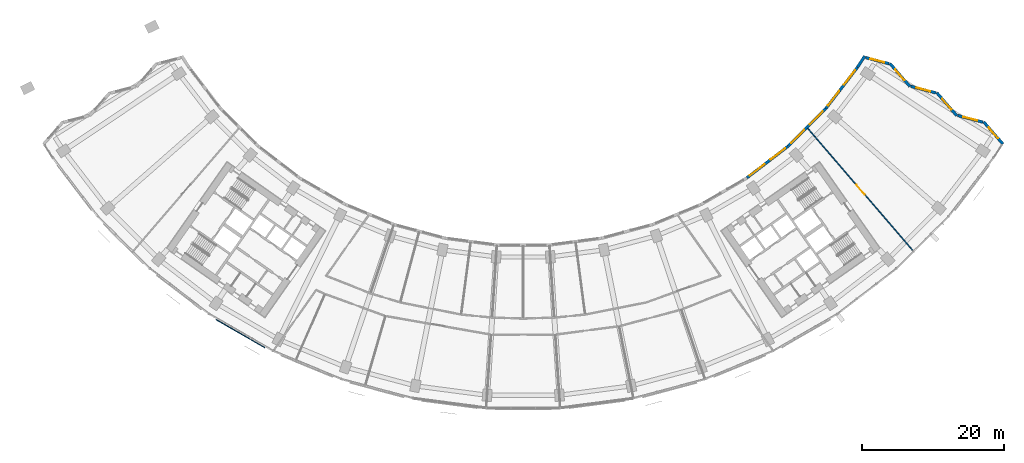
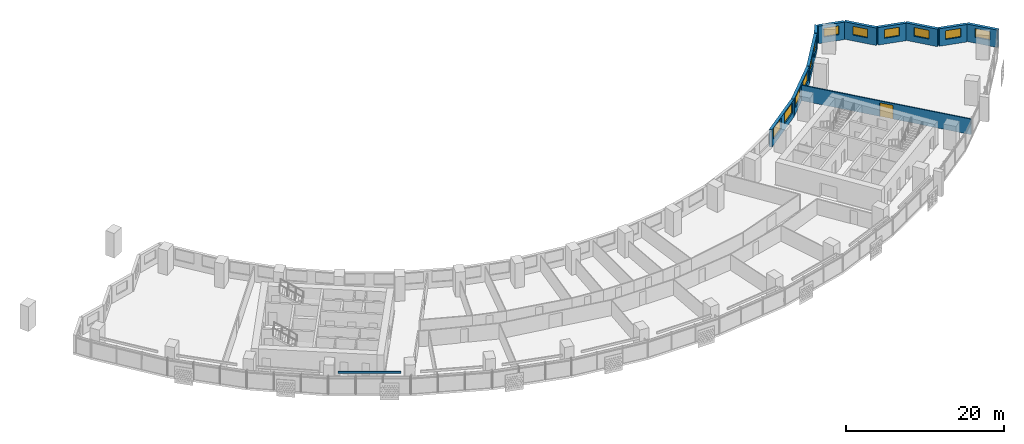
# One storey, part 8 of 31: 12 windows, 11 walls, 1 discrete accessory, 1 door, 13 openings.
"""IFC4 building model written with IfcOpenShell, lengths in metres."""

import ifcopenshell
import ifcopenshell.guid

model = None  # the IFC model being written
_history = None  # IfcOwnerHistory: only IFC2X3 demands one
_inside = {}  # id of a spatial element -> (the spatial element, [elements in it])
_under = {}  # id of a project, library or spatial element -> (it, [spatial elements below it])
_declared = {}  # id of a project -> (the project, [libraries it declares])
_typed = {}  # id of a type object -> (the type object, [elements of that type])
_made_of = {}  # id of a material, layer set ... -> (it, [elements and type objects made of it])


def new_model(schema):
    """Start an empty IFC model of exactly this schema.

    Asked for "IFC4X3", IfcOpenShell would pick the latest addendum, in which some entities
    have other attributes; the version numbers below select the first issue.
    IFC2X3 requires an IfcOwnerHistory on every rooted entity: one is made here for all.
    """
    global model, _history
    if schema == "IFC4X3":
        model = ifcopenshell.file(schema_version=(4, 3, 0, 0))
    else:
        model = ifcopenshell.file(schema=schema)
    _inside.clear()
    _under.clear()
    _declared.clear()
    _typed.clear()
    _made_of.clear()
    _history = None
    if model.schema == "IFC2X3":
        org = make("IfcOrganization", Name="unknown")
        user = make(
            "IfcPersonAndOrganization",
            ThePerson=make("IfcPerson", FamilyName="unknown"),
            TheOrganization=org,
        )
        app = make(
            "IfcApplication",
            ApplicationDeveloper=org,
            Version="unknown",
            ApplicationFullName="unknown",
            ApplicationIdentifier="unknown",
        )
        _history = make(
            "IfcOwnerHistory",
            OwningUser=user,
            OwningApplication=app,
            ChangeAction="ADDED",
            CreationDate=0,
        )
    return model


def make(cls, **values):
    """One entity of the class cls with the attributes given. An attribute that is None is left unset."""
    return model.create_entity(
        cls, **{name: value for name, value in values.items() if value is not None}
    )


def rooted(cls, **values):
    """An entity with a GlobalId (a new one), such as an element, a storey or a relation."""
    return make(cls, GlobalId=ifcopenshell.guid.new(), OwnerHistory=_history, **values)


def si_unit(unit_type, name, prefix=None):
    """IfcSIUnit, for example si_unit("LENGTHUNIT", "METRE", prefix="MILLI")."""
    return make("IfcSIUnit", UnitType=unit_type, Prefix=prefix, Name=name)


def assignment(units):
    """IfcUnitAssignment: the units of a project."""
    return None if units is None else make("IfcUnitAssignment", Units=units)


def point(xyz):
    """IfcCartesianPoint."""
    return None if xyz is None else make("IfcCartesianPoint", Coordinates=xyz)


def direction(xyz):
    """IfcDirection."""
    return None if xyz is None else make("IfcDirection", DirectionRatios=xyz)


def frame(location, z_axis=None, x_axis=None):
    """IfcAxis2Placement3D, a coordinate frame: its origin and axes. An axis left out is left unset."""
    return make(
        "IfcAxis2Placement3D",
        Location=point(location),
        Axis=direction(z_axis),
        RefDirection=direction(x_axis),
    )


def frame_2d(location, x_axis=None):
    """IfcAxis2Placement2D, a coordinate frame in the plane: its origin and x axis."""
    return make(
        "IfcAxis2Placement2D", Location=point(location), RefDirection=direction(x_axis)
    )


def origin():
    """The frame at (0, 0, 0) with its axes left unset."""
    return frame((0.0, 0.0, 0.0))


def origin_2d():
    """The frame at (0, 0) in the plane with its x axis left unset."""
    return frame_2d((0.0, 0.0))


def place(relative_to, where):
    """IfcLocalPlacement: puts the frame where relative to a parent placement (None: the world)."""
    return make(
        "IfcLocalPlacement", PlacementRelTo=relative_to, RelativePlacement=where
    )


def context(
    kind, dimensions, precision=None, world=None, true_north=None, identifier=None
):
    """IfcGeometricRepresentationContext, for example the 3D "Model" context."""
    return make(
        "IfcGeometricRepresentationContext",
        ContextIdentifier=identifier,
        ContextType=kind,
        CoordinateSpaceDimension=dimensions,
        Precision=precision,
        WorldCoordinateSystem=world,
        TrueNorth=true_north,
    )


def subcontext(parent, identifier, kind, view, scale=None):
    """IfcGeometricRepresentationSubContext, for example "Body" below "Model"."""
    return make(
        "IfcGeometricRepresentationSubContext",
        ContextIdentifier=identifier,
        ContextType=kind,
        ParentContext=parent,
        TargetScale=scale,
        TargetView=view,
    )


def project(units=None, contexts=None):
    """IfcProject with its units and contexts."""
    return rooted(
        "IfcProject",
        Name="project",
        RepresentationContexts=contexts,
        UnitsInContext=assignment(units),
    )


def spatial(cls, under=None, at=None, **own):
    """A site, building, storey or space (cls), placed at a placement, below another one or the project."""
    s = rooted(cls, ObjectPlacement=at, **own)
    if under is not None:
        _under.setdefault(under.id(), (under, []))[1].append(s)
    return s


def profile(cls, at=None, kind="AREA", **sizes):
    """A parametric profile (cls). Its sizes go by their IFC names, for example OverallWidth=200.0."""
    return make(cls, ProfileType=kind, Position=at, **sizes)


def rectangle(**sizes):
    """IfcRectangleProfileDef."""
    return profile("IfcRectangleProfileDef", **sizes)


def extrude(swept, where, along, depth):
    """IfcExtrudedAreaSolid: the profile swept, set in the frame where, extruded along a direction by depth."""
    return make(
        "IfcExtrudedAreaSolid",
        SweptArea=swept,
        Position=where,
        ExtrudedDirection=direction(along),
        Depth=depth,
    )


def shape(context_of_items, identifier, shape_type, items):
    """IfcShapeRepresentation: the items that make up one representation, for example the "Body"."""
    return make(
        "IfcShapeRepresentation",
        ContextOfItems=context_of_items,
        RepresentationIdentifier=identifier,
        RepresentationType=shape_type,
        Items=items,
    )


def material(Name=None, Category=None):
    """IfcMaterial."""
    return make("IfcMaterial", Name=Name, Category=Category)


def layer(
    of_material, thickness, ventilated=None, Name=None, Category=None, Priority=None
):
    """IfcMaterialLayer: one layer of a wall or slab, of a material (None: an air gap)."""
    return make(
        "IfcMaterialLayer",
        Material=of_material,
        LayerThickness=thickness,
        IsVentilated=ventilated,
        Name=Name,
        Category=Category,
        Priority=Priority,
    )


def layer_set(layers, Name=None):
    """IfcMaterialLayerSet."""
    return make("IfcMaterialLayerSet", MaterialLayers=layers, LayerSetName=Name)


def made_of(thing, what):
    """Note that an element or type object is made of a material, layer set ...; save() writes the relation."""
    if what is not None:
        _made_of.setdefault(what.id(), (what, []))[1].append(thing)
    return thing


def type_object(cls, material=None, **own):
    """A type object (cls), such as IfcWallType, which elements share."""
    return made_of(rooted(cls, **own), material)


def element(
    cls,
    number,
    at=None,
    inside=None,
    cuts=None,
    type_object=None,
    material=None,
    context=None,
    identifier="Body",
    shape_type=None,
    held_by="IfcProductDefinitionShape",
    body=None,
    shapes=None,
    **own,
):
    """One element of the class cls, such as IfcWall. Its Tag is "e" and its number.

    at: its placement. inside: the storey or other place that contains it. cuts: it is an
    opening in that element (IfcRelVoidsElement). A single representation is given by context,
    identifier, shape_type and body (its items); several are given by shapes. held_by: the class
    of the entity that holds the representations. save() writes the other relations.
    """
    e = rooted(cls, Tag="e%d" % number, ObjectPlacement=at, **own)
    if body is not None:
        shapes = [shape(context, identifier, shape_type, body)]
    if shapes is not None:
        e.Representation = make(held_by, Representations=shapes)
    if inside is not None:
        _inside.setdefault(inside.id(), (inside, []))[1].append(e)
    if cuts is not None:
        rooted(
            "IfcRelVoidsElement", RelatingBuildingElement=cuts, RelatedOpeningElement=e
        )
    if type_object is not None:
        _typed.setdefault(type_object.id(), (type_object, []))[1].append(e)
    return made_of(e, material)


def fill(opening, filler):
    """IfcRelFillsElement: the door or window that sits in an opening."""
    return rooted(
        "IfcRelFillsElement",
        RelatingOpeningElement=opening,
        RelatedBuildingElement=filler,
    )


def aggregate(whole, parts):
    """IfcRelAggregates: a whole, such as a stair, and the parts it consists of."""
    return rooted("IfcRelAggregates", RelatingObject=whole, RelatedObjects=parts)


def save(model, path):
    """Write the relations noted so far, then the file.

    IfcRelAggregates (storeys below a building ...), IfcRelContainedInSpatialStructure (elements
    in a storey), IfcRelDefinesByType, IfcRelAssociatesMaterial and IfcRelDeclares: one each for
    every whole, place, type object, material and project.
    """
    for whole, parts in _under.values():
        aggregate(whole, parts)
    for where, things in _inside.values():
        rooted(
            "IfcRelContainedInSpatialStructure",
            RelatedElements=things,
            RelatingStructure=where,
        )
    for kind, things in _typed.values():
        rooted("IfcRelDefinesByType", RelatedObjects=things, RelatingType=kind)
    for what, things in _made_of.values():
        rooted("IfcRelAssociatesMaterial", RelatedObjects=things, RelatingMaterial=what)
    for by, libraries in _declared.values():
        rooted("IfcRelDeclares", RelatingContext=by, RelatedDefinitions=libraries)
    model.write(path)


model = new_model("IFC4")

# Units and contexts
model_context = context("Model", 3, precision=1e-05, world=origin(), true_north=direction((0.0, 1.0)))
body_context = subcontext(model_context, "Body", "Model", "MODEL_VIEW")
ifc_project = project(units=[si_unit("LENGTHUNIT", "METRE"), si_unit("AREAUNIT", "SQUARE_METRE"), si_unit("VOLUMEUNIT", "CUBIC_METRE"), si_unit("PLANEANGLEUNIT", "RADIAN"), si_unit("MASSUNIT", "GRAM", prefix="KILO")], contexts=[model_context])

# Site, building, storey
site_placement = place(None, origin())
site = spatial("IfcSite", under=ifc_project, at=site_placement, CompositionType="ELEMENT")
building_placement = place(site_placement, origin())
building = spatial("IfcBuilding", under=site, at=building_placement, Name="Qamariyya Broadcast Tower", CompositionType="ELEMENT")
storey_placement = place(building_placement, frame((0.0, 0.0, 59.5)))
storey = spatial("IfcBuildingStorey", under=building, at=storey_placement, Name="L11", CompositionType="ELEMENT", Elevation=59.5)

# Wall, opening, door
ifc_material_1 = material(Name="Gypsum board partition")
ifc_layer_1 = layer(ifc_material_1, 0.14990234375)
ifc_layer_set_1 = layer_set([ifc_layer_1], Name="Corridor partition 150 EI 60")
wall_type_1 = type_object("IfcWallType", Name="Corridor partition 150 EI 60", PredefinedType="PARTITIONING", material=ifc_layer_set_1)
wall_1_placement = place(storey_placement, frame((40.021240234375, -40.063232421875, 0.0), z_axis=(0.0, 0.0, 1.0), x_axis=(0.652471531746, -0.757813235739, 0.0)))
wall_1 = element("IfcWall", 1, at=wall_1_placement, inside=storey, type_object=wall_type_1, Name="Partition L11-035", PredefinedType="PARTITIONING", context=body_context, shape_type="SweptSolid", body=[
    extrude(rectangle(XDim=22.71484375, YDim=0.14990234375, at=frame_2d((11.357421875, 0.0))), origin(), (0.0, 0.0, 1.0), 2.39990234375),
])
opening_1_placement = place(wall_1_placement, frame((10.45751953125, 0.0, 0.0)))
opening_1 = element("IfcOpeningElement", 2, at=opening_1_placement, cuts=wall_1, Name="Opening L11-D17", PredefinedType="OPENING", context=body_context, shape_type="SweptSolid", body=[
    extrude(rectangle(XDim=1.800048828125, YDim=2.10009765625, at=frame_2d((0.89990234375, 1.050048828125))), frame((0.0, 0.0849609375, 0.0), z_axis=(0.0, -1.0, 0.0), x_axis=(1.0, 0.0, 0.0)), (0.0, 0.0, 1.0), 0.169921875),
])
ifc_material_2 = material(Name="Timber fire door leaf", Category="wood")
door_type = type_object("IfcDoorType", Name="Double fire door 1800 x 2100 FD60", OperationType="NOTDEFINED", PredefinedType="DOOR", material=ifc_material_2)
door_placement = place(opening_1_placement, origin())
door = element("IfcDoor", 3, at=door_placement, inside=storey, type_object=door_type, Name="Door L11-D17", OperationType="DOUBLE_DOOR_SINGLE_SWING", OverallHeight=2.10009765625, OverallWidth=1.800048828125, PredefinedType="DOOR", context=body_context, shape_type="SweptSolid", body=[
    extrude(rectangle(XDim=1.800048828125, YDim=2.10009765625, at=frame_2d((0.89990234375, 1.050048828125))), frame((0.0, 0.02490234375, 0.0), z_axis=(0.0, -1.0, 0.0), x_axis=(1.0, 0.0, 0.0)), (0.0, 0.0, 1.0), 0.050048828125),
])
fill(opening_1, door)

# Wall, opening, window
ifc_material_3 = material(Name="Terracotta", Category="masonry")
ifc_layer_2 = layer(ifc_material_3, 0.39990234375)
ifc_layer_set_2 = layer_set([ifc_layer_2], Name="Terracotta clad wall 400")
wall_type_2 = type_object("IfcWallType", Name="Terracotta clad wall 400", PredefinedType="SOLIDWALL", material=ifc_layer_set_2)
wall_2_placement = place(storey_placement, frame((67.456298828125, -42.242431640625, 0.0), z_axis=(0.0, 0.0, 1.0), x_axis=(-0.655408477407, 0.755274604195, 0.0)))
wall_2 = element("IfcWall", 4, at=wall_2_placement, inside=storey, type_object=wall_type_2, Name="e-wl-L11-capE0", PredefinedType="SOLIDWALL", context=body_context, shape_type="SweptSolid", body=[
    extrude(rectangle(XDim=4.121826171875, YDim=0.39990234375, at=frame_2d((2.06103515625, 0.0))), origin(), (0.0, 0.0, 1.0), 2.699951171875),
])
opening_2_placement = place(wall_2_placement, frame((1.060791015625, 0.0, 0.89990234375)))
opening_2 = element("IfcOpeningElement", 5, at=opening_2_placement, cuts=wall_2, Name="Opening W4", PredefinedType="OPENING", context=body_context, shape_type="SweptSolid", body=[
    extrude(rectangle(XDim=2.0, YDim=1.35009765625, at=frame_2d((1.0, 0.675048828125))), frame((0.0, 0.2099609375, 0.0), z_axis=(0.0, -1.0, 0.0), x_axis=(1.0, 0.0, 0.0)), (0.0, 0.0, 1.0), 0.419921875),
])
ifc_material_4 = material(Name="Clear low-e double glazed unit in aluminium frame", Category="aluminium")
window_type_1 = type_object("IfcWindowType", Name="Horn bay window 2000 x 1350", PartitioningType="SINGLE_PANEL", PredefinedType="WINDOW", material=ifc_material_4)
window_1_placement = place(opening_2_placement, origin())
window_1 = element("IfcWindow", 6, at=window_1_placement, inside=storey, type_object=window_type_1, Name="e-w-L11-capE0", OverallHeight=1.35009765625, OverallWidth=2.0, PartitioningType="SINGLE_PANEL", PredefinedType="WINDOW", context=body_context, shape_type="SweptSolid", body=[
    extrude(rectangle(XDim=2.0, YDim=1.35009765625, at=frame_2d((1.0, 0.675048828125))), frame((0.0, 0.030029296875, 0.0), z_axis=(0.0, -1.0, 0.0), x_axis=(1.0, 0.0, 0.0)), (0.0, 0.0, 1.0), 0.06005859375),
])
fill(opening_2, window_1)

wall_3_placement = place(storey_placement, frame((64.630126953125, -39.160888671875, 0.0), z_axis=(0.0, 0.0, 1.0), x_axis=(-0.967238154233, 0.253870740724, 0.0)))
wall_3 = element("IfcWall", 7, at=wall_3_placement, inside=storey, type_object=wall_type_2, Name="e-wl-L11-capE1", PredefinedType="SOLIDWALL", context=body_context, shape_type="SweptSolid", body=[
    extrude(rectangle(XDim=3.648681640625, YDim=0.39990234375, at=frame_2d((1.82421875, 0.0))), origin(), (0.0, 0.0, 1.0), 2.699951171875),
])
opening_3_placement = place(wall_3_placement, frame((0.824462890625, 0.0, 0.89990234375)))
opening_3 = element("IfcOpeningElement", 8, at=opening_3_placement, cuts=wall_3, Name="Opening W4", PredefinedType="OPENING", context=body_context, shape_type="SweptSolid", body=[
    extrude(rectangle(XDim=2.0, YDim=1.35009765625, at=frame_2d((1.0, 0.675048828125))), frame((0.0, 0.2099609375, 0.0), z_axis=(0.0, -1.0, 0.0), x_axis=(1.0, 0.0, 0.0)), (0.0, 0.0, 1.0), 0.419921875),
])
window_2_placement = place(opening_3_placement, origin())
window_2 = element("IfcWindow", 9, at=window_2_placement, inside=storey, type_object=window_type_1, Name="e-w-L11-capE1", OverallHeight=1.35009765625, OverallWidth=2.0, PartitioningType="SINGLE_PANEL", PredefinedType="WINDOW", context=body_context, shape_type="SweptSolid", body=[
    extrude(rectangle(XDim=2.0, YDim=1.35009765625, at=frame_2d((1.0, 0.675048828125))), frame((0.0, 0.030029296875, 0.0), z_axis=(0.0, -1.0, 0.0), x_axis=(1.0, 0.0, 0.0)), (0.0, 0.0, 1.0), 0.06005859375),
])
fill(opening_3, window_2)

wall_4_placement = place(storey_placement, frame((60.9765625, -38.265869140625, 0.0), z_axis=(0.0, 0.0, 1.0), x_axis=(-0.655460624438, 0.755229349146, 0.0)))
wall_4 = element("IfcWall", 10, at=wall_4_placement, inside=storey, type_object=wall_type_2, Name="e-wl-L11-capE2", PredefinedType="SOLIDWALL", context=body_context, shape_type="SweptSolid", body=[
    extrude(rectangle(XDim=4.294677734375, YDim=0.39990234375, at=frame_2d((2.1474609375, 0.0))), origin(), (0.0, 0.0, 1.0), 2.699951171875),
])
opening_4_placement = place(wall_4_placement, frame((1.147216796875, 0.0, 0.89990234375)))
opening_4 = element("IfcOpeningElement", 11, at=opening_4_placement, cuts=wall_4, Name="Opening W4", PredefinedType="OPENING", context=body_context, shape_type="SweptSolid", body=[
    extrude(rectangle(XDim=2.0, YDim=1.35009765625, at=frame_2d((1.0, 0.675048828125))), frame((0.0, 0.2099609375, 0.0), z_axis=(0.0, -1.0, 0.0), x_axis=(1.0, 0.0, 0.0)), (0.0, 0.0, 1.0), 0.419921875),
])
window_3_placement = place(opening_4_placement, origin())
window_3 = element("IfcWindow", 12, at=window_3_placement, inside=storey, type_object=window_type_1, Name="e-w-L11-capE2", OverallHeight=1.35009765625, OverallWidth=2.0, PartitioningType="SINGLE_PANEL", PredefinedType="WINDOW", context=body_context, shape_type="SweptSolid", body=[
    extrude(rectangle(XDim=2.0, YDim=1.35009765625, at=frame_2d((1.0, 0.675048828125))), frame((0.0, 0.030029296875, 0.0), z_axis=(0.0, -1.0, 0.0), x_axis=(1.0, 0.0, 0.0)), (0.0, 0.0, 1.0), 0.06005859375),
])
fill(opening_4, window_3)

wall_5_placement = place(storey_placement, frame((58.036865234375, -35.053955078125, 0.0), z_axis=(0.0, 0.0, 1.0), x_axis=(-0.967253768322, 0.253811244168, 0.0)))
wall_5 = element("IfcWall", 13, at=wall_5_placement, inside=storey, type_object=wall_type_2, Name="e-wl-L11-capE3", PredefinedType="SOLIDWALL", context=body_context, shape_type="SweptSolid", body=[
    extrude(rectangle(XDim=3.6474609375, YDim=0.39990234375, at=frame_2d((1.82373046875, 0.0))), origin(), (0.0, 0.0, 1.0), 2.699951171875),
])
opening_5_placement = place(wall_5_placement, frame((0.82373046875, 0.0, 0.89990234375)))
opening_5 = element("IfcOpeningElement", 14, at=opening_5_placement, cuts=wall_5, Name="Opening W4", PredefinedType="OPENING", context=body_context, shape_type="SweptSolid", body=[
    extrude(rectangle(XDim=2.0, YDim=1.35009765625, at=frame_2d((1.0, 0.675048828125))), frame((0.0, 0.2099609375, 0.0), z_axis=(0.0, -1.0, 0.0), x_axis=(1.0, 0.0, 0.0)), (0.0, 0.0, 1.0), 0.419921875),
])
window_4_placement = place(opening_5_placement, origin())
window_4 = element("IfcWindow", 15, at=window_4_placement, inside=storey, type_object=window_type_1, Name="e-w-L11-capE3", OverallHeight=1.35009765625, OverallWidth=2.0, PartitioningType="SINGLE_PANEL", PredefinedType="WINDOW", context=body_context, shape_type="SweptSolid", body=[
    extrude(rectangle(XDim=2.0, YDim=1.35009765625, at=frame_2d((1.0, 0.675048828125))), frame((0.0, 0.030029296875, 0.0), z_axis=(0.0, -1.0, 0.0), x_axis=(1.0, 0.0, 0.0)), (0.0, 0.0, 1.0), 0.06005859375),
])
fill(opening_5, window_4)

wall_6_placement = place(storey_placement, frame((54.384033203125, -34.15966796875, 0.0), z_axis=(0.0, 0.0, 1.0), x_axis=(-0.65553829601, 0.755161931286, 0.0)))
wall_6 = element("IfcWall", 16, at=wall_6_placement, inside=storey, type_object=wall_type_2, Name="e-wl-L11-capE4", PredefinedType="SOLIDWALL", context=body_context, shape_type="SweptSolid", body=[
    extrude(rectangle(XDim=4.2958984375, YDim=0.39990234375, at=frame_2d((2.14794921875, 0.0))), origin(), (0.0, 0.0, 1.0), 2.699951171875),
])
opening_6_placement = place(wall_6_placement, frame((1.14794921875, 0.0, 0.89990234375)))
opening_6 = element("IfcOpeningElement", 17, at=opening_6_placement, cuts=wall_6, Name="Opening W4", PredefinedType="OPENING", context=body_context, shape_type="SweptSolid", body=[
    extrude(rectangle(XDim=2.0, YDim=1.35009765625, at=frame_2d((1.0, 0.675048828125))), frame((0.0, 0.2099609375, 0.0), z_axis=(0.0, -1.0, 0.0), x_axis=(1.0, 0.0, 0.0)), (0.0, 0.0, 1.0), 0.419921875),
])
window_5_placement = place(opening_6_placement, origin())
window_5 = element("IfcWindow", 18, at=window_5_placement, inside=storey, type_object=window_type_1, Name="e-w-L11-capE4", OverallHeight=1.35009765625, OverallWidth=2.0, PartitioningType="SINGLE_PANEL", PredefinedType="WINDOW", context=body_context, shape_type="SweptSolid", body=[
    extrude(rectangle(XDim=2.0, YDim=1.35009765625, at=frame_2d((1.0, 0.675048828125))), frame((0.0, 0.030029296875, 0.0), z_axis=(0.0, -1.0, 0.0), x_axis=(1.0, 0.0, 0.0)), (0.0, 0.0, 1.0), 0.06005859375),
])
fill(opening_6, window_5)

wall_7_placement = place(storey_placement, frame((51.443359375, -30.947021484375, 0.0), z_axis=(0.0, 0.0, 1.0), x_axis=(-0.967281071353, 0.25370717176, 0.0)))
wall_7 = element("IfcWall", 19, at=wall_7_placement, inside=storey, type_object=wall_type_2, Name="e-wl-L11-capE5", PredefinedType="SOLIDWALL", context=body_context, shape_type="SweptSolid", body=[
    extrude(rectangle(XDim=3.39404296875, YDim=0.39990234375, at=frame_2d((1.697021484375, 0.0))), origin(), (0.0, 0.0, 1.0), 2.699951171875),
])
opening_7_placement = place(wall_7_placement, frame((0.697021484375, 0.0, 0.89990234375)))
opening_7 = element("IfcOpeningElement", 20, at=opening_7_placement, cuts=wall_7, Name="Opening W4", PredefinedType="OPENING", context=body_context, shape_type="SweptSolid", body=[
    extrude(rectangle(XDim=2.0, YDim=1.35009765625, at=frame_2d((1.0, 0.675048828125))), frame((0.0, 0.2099609375, 0.0), z_axis=(0.0, -1.0, 0.0), x_axis=(1.0, 0.0, 0.0)), (0.0, 0.0, 1.0), 0.419921875),
])
window_6_placement = place(opening_7_placement, origin())
window_6 = element("IfcWindow", 21, at=window_6_placement, inside=storey, type_object=window_type_1, Name="e-w-L11-capE5", OverallHeight=1.35009765625, OverallWidth=2.0, PartitioningType="SINGLE_PANEL", PredefinedType="WINDOW", context=body_context, shape_type="SweptSolid", body=[
    extrude(rectangle(XDim=2.0, YDim=1.35009765625, at=frame_2d((1.0, 0.675048828125))), frame((0.0, 0.030029296875, 0.0), z_axis=(0.0, -1.0, 0.0), x_axis=(1.0, 0.0, 0.0)), (0.0, 0.0, 1.0), 0.06005859375),
])
fill(opening_7, window_6)

# Wall, openings, windows
wall_8_placement = place(storey_placement, frame((37.24609375, -42.5478515625, 0.0), z_axis=(0.0, 0.0, 1.0), x_axis=(-0.79336607943, -0.60874482668, 0.0)))
wall_8 = element("IfcWall", 22, at=wall_8_placement, inside=storey, type_object=wall_type_2, Name="e-wl-L11-in130", PredefinedType="SOLIDWALL", context=body_context, shape_type="SweptSolid", body=[
    extrude(rectangle(XDim=7.295654296875, YDim=0.39990234375, at=frame_2d((3.64794921875, 0.0))), origin(), (0.0, 0.0, 1.0), 2.699951171875),
])
opening_8_placement = place(wall_8_placement, frame((4.190673828125, 0.0, 0.89990234375)))
opening_8 = element("IfcOpeningElement", 23, at=opening_8_placement, cuts=wall_8, Name="Opening W1", PredefinedType="OPENING", context=body_context, shape_type="SweptSolid", body=[
    extrude(rectangle(XDim=2.60009765625, YDim=1.64990234375, at=frame_2d((1.300048828125, 0.824951171875))), frame((0.0, 0.2099609375, 0.0), z_axis=(0.0, -1.0, 0.0), x_axis=(1.0, 0.0, 0.0)), (0.0, 0.0, 1.0), 0.419921875),
])
opening_9_placement = place(wall_8_placement, frame((0.505126953125, 0.0, 0.89990234375)))
opening_9 = element("IfcOpeningElement", 24, at=opening_9_placement, cuts=wall_8, Name="Opening W1", PredefinedType="OPENING", context=body_context, shape_type="SweptSolid", body=[
    extrude(rectangle(XDim=2.60009765625, YDim=1.64990234375, at=frame_2d((1.300048828125, 0.824951171875))), frame((0.0, 0.2099609375, 0.0), z_axis=(0.0, -1.0, 0.0), x_axis=(1.0, 0.0, 0.0)), (0.0, 0.0, 1.0), 0.419921875),
])
window_type_2 = type_object("IfcWindowType", Name="Ribbon window 2600 x 1650", PartitioningType="SINGLE_PANEL", PredefinedType="WINDOW", material=ifc_material_4)
window_7_placement = place(opening_8_placement, origin())
window_7 = element("IfcWindow", 25, at=window_7_placement, inside=storey, type_object=window_type_2, Name="e-w-L11-in13-0", OverallHeight=1.64990234375, OverallWidth=2.60009765625, PartitioningType="SINGLE_PANEL", PredefinedType="WINDOW", context=body_context, shape_type="SweptSolid", body=[
    extrude(rectangle(XDim=2.60009765625, YDim=1.64990234375, at=frame_2d((1.300048828125, 0.824951171875))), frame((0.0, 0.030029296875, 0.0), z_axis=(0.0, -1.0, 0.0), x_axis=(1.0, 0.0, 0.0)), (0.0, 0.0, 1.0), 0.06005859375),
])
fill(opening_8, window_7)
window_8_placement = place(opening_9_placement, origin())
window_8 = element("IfcWindow", 26, at=window_8_placement, inside=storey, type_object=window_type_2, Name="e-w-L11-in13-1", OverallHeight=1.64990234375, OverallWidth=2.60009765625, PartitioningType="SINGLE_PANEL", PredefinedType="WINDOW", context=body_context, shape_type="SweptSolid", body=[
    extrude(rectangle(XDim=2.60009765625, YDim=1.64990234375, at=frame_2d((1.300048828125, 0.824951171875))), frame((0.0, 0.030029296875, 0.0), z_axis=(0.0, -1.0, 0.0), x_axis=(1.0, 0.0, 0.0)), (0.0, 0.0, 1.0), 0.06005859375),
])
fill(opening_9, window_8)

wall_9_placement = place(storey_placement, frame((42.534423828125, -37.2685546875, 0.0), z_axis=(0.0, 0.0, 1.0), x_axis=(-0.707106781187, -0.707106781187, 0.0)))
wall_9 = element("IfcWall", 27, at=wall_9_placement, inside=storey, type_object=wall_type_2, Name="e-wl-L11-in140", PredefinedType="SOLIDWALL", context=body_context, shape_type="SweptSolid", body=[
    extrude(rectangle(XDim=7.447021484375, YDim=0.39990234375, at=frame_2d((3.7236328125, 0.0))), origin(), (0.0, 0.0, 1.0), 2.699951171875),
])
opening_10_placement = place(wall_9_placement, frame((4.266357421875, 0.0, 0.89990234375)))
opening_10 = element("IfcOpeningElement", 28, at=opening_10_placement, cuts=wall_9, Name="Opening W1", PredefinedType="OPENING", context=body_context, shape_type="SweptSolid", body=[
    extrude(rectangle(XDim=2.60009765625, YDim=1.64990234375, at=frame_2d((1.300048828125, 0.824951171875))), frame((0.0, 0.2099609375, 0.0), z_axis=(0.0, -1.0, 0.0), x_axis=(1.0, 0.0, 0.0)), (0.0, 0.0, 1.0), 0.419921875),
])
opening_11_placement = place(wall_9_placement, frame((0.580810546875, 0.0, 0.89990234375)))
opening_11 = element("IfcOpeningElement", 29, at=opening_11_placement, cuts=wall_9, Name="Opening W1", PredefinedType="OPENING", context=body_context, shape_type="SweptSolid", body=[
    extrude(rectangle(XDim=2.60009765625, YDim=1.64990234375, at=frame_2d((1.300048828125, 0.824951171875))), frame((0.0, 0.2099609375, 0.0), z_axis=(0.0, -1.0, 0.0), x_axis=(1.0, 0.0, 0.0)), (0.0, 0.0, 1.0), 0.419921875),
])
window_9_placement = place(opening_10_placement, origin())
window_9 = element("IfcWindow", 30, at=window_9_placement, inside=storey, type_object=window_type_2, Name="e-w-L11-in14-0", OverallHeight=1.64990234375, OverallWidth=2.60009765625, PartitioningType="SINGLE_PANEL", PredefinedType="WINDOW", context=body_context, shape_type="SweptSolid", body=[
    extrude(rectangle(XDim=2.60009765625, YDim=1.64990234375, at=frame_2d((1.300048828125, 0.824951171875))), frame((0.0, 0.030029296875, 0.0), z_axis=(0.0, -1.0, 0.0), x_axis=(1.0, 0.0, 0.0)), (0.0, 0.0, 1.0), 0.06005859375),
])
fill(opening_10, window_9)
window_10_placement = place(opening_11_placement, origin())
window_10 = element("IfcWindow", 31, at=window_10_placement, inside=storey, type_object=window_type_2, Name="e-w-L11-in14-1", OverallHeight=1.64990234375, OverallWidth=2.60009765625, PartitioningType="SINGLE_PANEL", PredefinedType="WINDOW", context=body_context, shape_type="SweptSolid", body=[
    extrude(rectangle(XDim=2.60009765625, YDim=1.64990234375, at=frame_2d((1.300048828125, 0.824951171875))), frame((0.0, 0.030029296875, 0.0), z_axis=(0.0, -1.0, 0.0), x_axis=(1.0, 0.0, 0.0)), (0.0, 0.0, 1.0), 0.06005859375),
])
fill(opening_11, window_10)

wall_10_placement = place(storey_placement, frame((46.998046875, -31.4462890625, 0.0), z_axis=(0.0, 0.0, 1.0), x_axis=(-0.608748398091, -0.793363339096, 0.0)))
wall_10 = element("IfcWall", 32, at=wall_10_placement, inside=storey, type_object=wall_type_2, Name="e-wl-L11-in150", PredefinedType="SOLIDWALL", context=body_context, shape_type="SweptSolid", body=[
    extrude(rectangle(XDim=7.310302734375, YDim=0.39990234375, at=frame_2d((3.6552734375, 0.0))), origin(), (0.0, 0.0, 1.0), 2.699951171875),
])
opening_12_placement = place(wall_10_placement, frame((4.205322265625, 0.0, 0.89990234375)))
opening_12 = element("IfcOpeningElement", 33, at=opening_12_placement, cuts=wall_10, Name="Opening W1", PredefinedType="OPENING", context=body_context, shape_type="SweptSolid", body=[
    extrude(rectangle(XDim=2.60009765625, YDim=1.64990234375, at=frame_2d((1.300048828125, 0.824951171875))), frame((0.0, 0.2099609375, 0.0), z_axis=(0.0, -1.0, 0.0), x_axis=(1.0, 0.0, 0.0)), (0.0, 0.0, 1.0), 0.419921875),
])
opening_13_placement = place(wall_10_placement, frame((0.519775390625, 0.0, 0.89990234375)))
opening_13 = element("IfcOpeningElement", 34, at=opening_13_placement, cuts=wall_10, Name="Opening W1", PredefinedType="OPENING", context=body_context, shape_type="SweptSolid", body=[
    extrude(rectangle(XDim=2.60009765625, YDim=1.64990234375, at=frame_2d((1.300048828125, 0.824951171875))), frame((0.0, 0.2099609375, 0.0), z_axis=(0.0, -1.0, 0.0), x_axis=(1.0, 0.0, 0.0)), (0.0, 0.0, 1.0), 0.419921875),
])
window_11_placement = place(opening_12_placement, origin())
window_11 = element("IfcWindow", 35, at=window_11_placement, inside=storey, type_object=window_type_2, Name="e-w-L11-in15-0", OverallHeight=1.64990234375, OverallWidth=2.60009765625, PartitioningType="SINGLE_PANEL", PredefinedType="WINDOW", context=body_context, shape_type="SweptSolid", body=[
    extrude(rectangle(XDim=2.60009765625, YDim=1.64990234375, at=frame_2d((1.300048828125, 0.824951171875))), frame((0.0, 0.030029296875, 0.0), z_axis=(0.0, -1.0, 0.0), x_axis=(1.0, 0.0, 0.0)), (0.0, 0.0, 1.0), 0.06005859375),
])
fill(opening_12, window_11)
window_12_placement = place(opening_13_placement, origin())
window_12 = element("IfcWindow", 36, at=window_12_placement, inside=storey, type_object=window_type_2, Name="e-w-L11-in15-1", OverallHeight=1.64990234375, OverallWidth=2.60009765625, PartitioningType="SINGLE_PANEL", PredefinedType="WINDOW", context=body_context, shape_type="SweptSolid", body=[
    extrude(rectangle(XDim=2.60009765625, YDim=1.64990234375, at=frame_2d((1.300048828125, 0.824951171875))), frame((0.0, 0.030029296875, 0.0), z_axis=(0.0, -1.0, 0.0), x_axis=(1.0, 0.0, 0.0)), (0.0, 0.0, 1.0), 0.06005859375),
])
fill(opening_13, window_12)

# Wall
wall_11_placement = place(storey_placement, frame((48.022705078125, -29.86328125, 0.0), z_axis=(0.0, 0.0, 1.0), x_axis=(-0.542254746732, -0.84021413321, 0.0)))
element("IfcWall", 37, at=wall_11_placement, inside=storey, type_object=wall_type_2, Name="e-wl-L11-in160", PredefinedType="SOLIDWALL", context=body_context, shape_type="SweptSolid", body=[
    extrude(rectangle(XDim=1.869873046875, YDim=0.39990234375, at=frame_2d((0.93505859375, 0.0))), origin(), (0.0, 0.0, 1.0), 2.699951171875),
])

# Discrete accessory
ifc_material_5 = material(Name="Stainless steel 316", Category="steel")
discrete_accessory_type = type_object("IfcDiscreteAccessoryType", Name="Slab edge fixing angle, stainless steel", PredefinedType="BRACKET", material=ifc_material_5)
discrete_accessory_placement = place(storey_placement, frame((-39.77734375, -68.896240234375, 3.2998046875), z_axis=(0.0, 0.0, 1.0), x_axis=(0.866025403784, -0.5, 0.0)))
element("IfcDiscreteAccessory", 38, at=discrete_accessory_placement, inside=storey, type_object=discrete_accessory_type, Name="e-br-L11-04-0", PredefinedType="BRACKET", context=body_context, shape_type="SweptSolid", body=[
    extrude(rectangle(XDim=7.9140625, YDim=0.14990234375, at=origin_2d()), origin(), (0.0, 0.0, 1.0), 0.300048828125),
])

save(model, "model.ifc")
